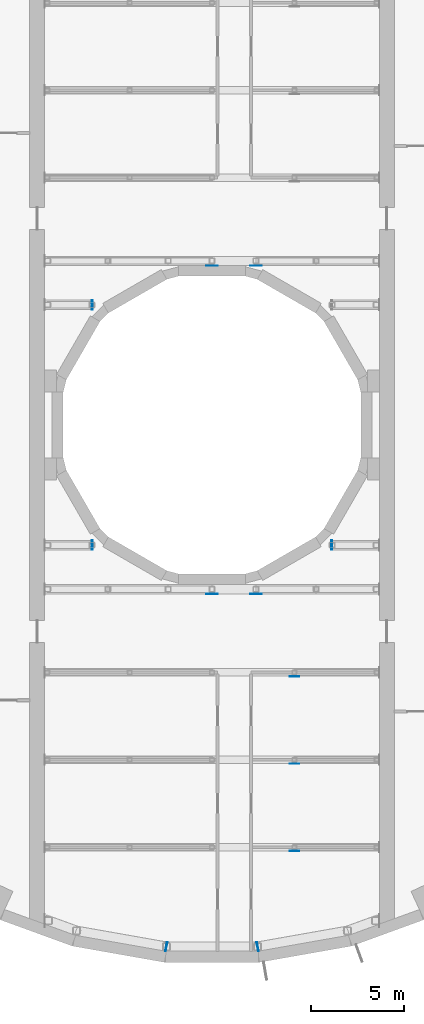
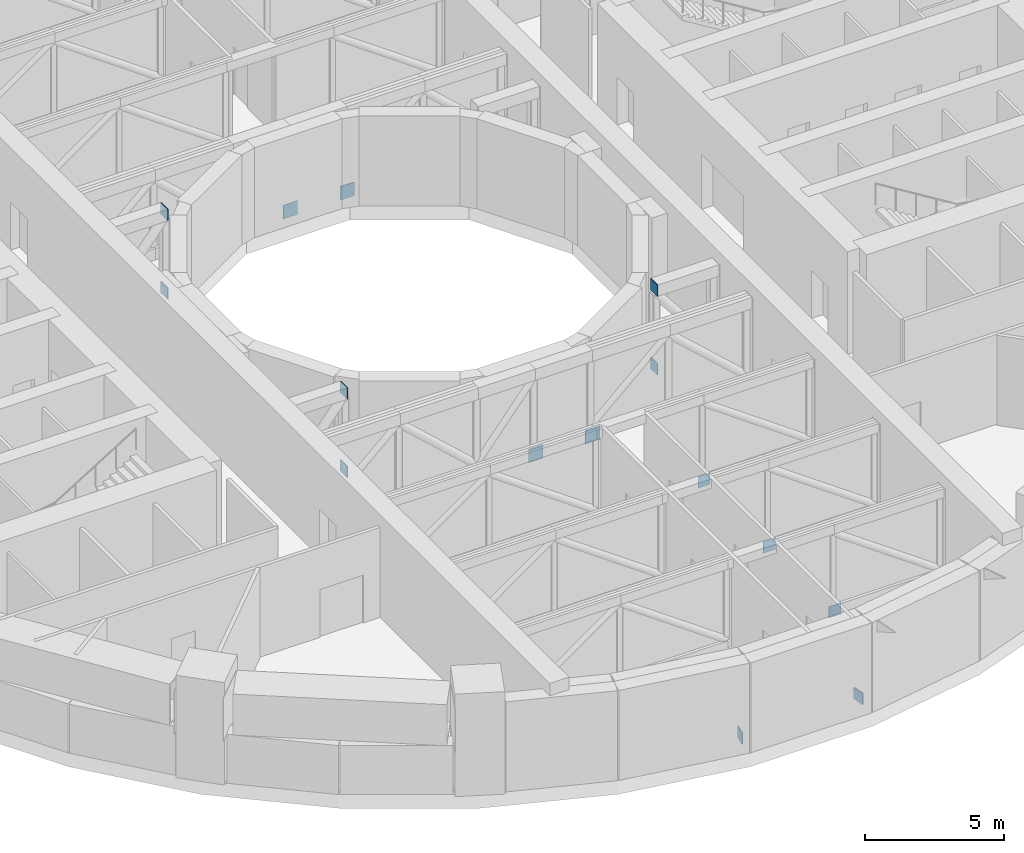
# One storey, part 19 of 21: 15 discrete accessories.
"""IFC4 building model written with IfcOpenShell, lengths in metres."""

from ifc_helpers import new_model, si_unit, direction, frame, origin, origin_2d, place, context, subcontext, project, spatial, rectangle, extrude, material, material_profile, profile_set, type_object, element, save


model = new_model("IFC4")

# Units and contexts
model_context = context("Model", 3, precision=1e-05, world=origin(), true_north=direction((0.0, 1.0)))
body_context = subcontext(model_context, "Body", "Model", "MODEL_VIEW")
ifc_project = project(units=[si_unit("LENGTHUNIT", "METRE"), si_unit("AREAUNIT", "SQUARE_METRE"), si_unit("VOLUMEUNIT", "CUBIC_METRE"), si_unit("PLANEANGLEUNIT", "RADIAN"), si_unit("MASSUNIT", "GRAM", prefix="KILO")], contexts=[model_context])

# Site, building, storey
site_placement = place(None, origin())
site = spatial("IfcSite", under=ifc_project, at=site_placement, CompositionType="ELEMENT")
building_placement = place(site_placement, origin())
building = spatial("IfcBuilding", under=site, at=building_placement, Name="Saqina Gate Tower", CompositionType="ELEMENT")
storey_placement = place(building_placement, frame((0.0, 0.0, 21.800048828125)))
storey = spatial("IfcBuildingStorey", under=building, at=storey_placement, Name="L05", CompositionType="ELEMENT", Elevation=21.800048828125)

# Discrete accessories
ifc_material_1 = material(Name="Steel S460", Category="steel")
ifc_material_profile_1 = material_profile(ifc_material_1, rectangle(XDim=0.5, YDim=0.5, at=origin_2d()), Name="STR-END PLATE-BOX 500x500x40")
ifc_profile_set_1 = profile_set([ifc_material_profile_1], Name="Steel S460")
discrete_accessory_type_1 = type_object("IfcDiscreteAccessoryType", Name="STR-END PLATE-BOX 500x500x40", PredefinedType="USERDEFINED", material=ifc_profile_set_1)
for number, where, z_axis, x_axis, name in (
    (1, (-6.45751953125, 6.45751953125, 0.25), (1.0, 0.0, 0.0), (0.0, 1.0, 0.0), "END PLATE TRANSFER TRUSS CHORD 180 END"),
    (2, (-6.45751953125, 6.45751953125, 3.699951171875), (1.0, 0.0, 0.0), (0.0, 1.0, 0.0), "END PLATE TRANSFER TRUSS CHORD 181 END"),
    (3, (-6.45751953125, -6.45751953125, 0.25), (1.0, 0.0, 0.0), (0.0, 1.0, 0.0), "END PLATE TRANSFER TRUSS CHORD 185 END"),
    (4, (-6.45751953125, -6.45751953125, 3.699951171875), (1.0, 0.0, 0.0), (0.0, 1.0, 0.0), "END PLATE TRANSFER TRUSS CHORD 186 END"),
    (5, (6.45751953125, -6.45751953125, 0.25), (-1.0, 0.0, 0.0), (0.0, -1.0, 0.0), "END PLATE TRANSFER TRUSS CHORD 190 END"),
    (6, (6.45751953125, -6.45751953125, 3.699951171875), (-1.0, 0.0, 0.0), (0.0, -1.0, 0.0), "END PLATE TRANSFER TRUSS CHORD 191 END"),
):
    element("IfcDiscreteAccessory", number, at=place(storey_placement, frame(where, z_axis=z_axis, x_axis=x_axis)), inside=storey, type_object=discrete_accessory_type_1, Name=name, ObjectType="END PLATE", PredefinedType="USERDEFINED", context=body_context, shape_type="SweptSolid", body=[
        extrude(rectangle(XDim=0.5, YDim=0.5, at=origin_2d()), origin(), (0.0, 0.0, 1.0), 0.0400390625),
    ])
ifc_material_2 = material(Name="Steel S460", Category="steel")
ifc_material_profile_2 = material_profile(ifc_material_2, rectangle(XDim=0.5, YDim=0.5, at=origin_2d()), Name="STR-END PLATE-BOX 500x500x60")
ifc_profile_set_2 = profile_set([ifc_material_profile_2], Name="Steel S460")
discrete_accessory_type_2 = type_object("IfcDiscreteAccessoryType", Name="STR-END PLATE-BOX 500x500x60", PredefinedType="USERDEFINED", material=ifc_profile_set_2)
for number, where, z_axis, x_axis, name in (
    (7, (-2.474853515625, -28.0390625, 0.25), (0.984162001364, -0.177271416395, 0.0), (0.177271416395, 0.984162001364, 0.0), "END PLATE TRANSFER TRUSS CHORD 023 END"),
    (8, (2.474853515625, -28.0390625, 0.25), (-0.984162001364, -0.177271416395, 0.0), (-0.177271416395, 0.984162001364, 0.0), "END PLATE TRANSFER TRUSS CHORD 027 START"),
):
    element("IfcDiscreteAccessory", number, at=place(storey_placement, frame(where, z_axis=z_axis, x_axis=x_axis)), inside=storey, type_object=discrete_accessory_type_2, Name=name, ObjectType="END PLATE", PredefinedType="USERDEFINED", context=body_context, shape_type="SweptSolid", body=[
        extrude(rectangle(XDim=0.5, YDim=0.5, at=origin_2d()), origin(), (0.0, 0.0, 1.0), 0.0400390625),
    ])
ifc_material_3 = material(Name="Steel S460", Category="steel")
ifc_material_profile_3 = material_profile(ifc_material_3, rectangle(XDim=0.5, YDim=0.5, at=origin_2d()), Name="STR-END PLATE-GUSSET 500x500x20")
ifc_profile_set_3 = profile_set([ifc_material_profile_3], Name="Steel S460")
discrete_accessory_type_3 = type_object("IfcDiscreteAccessoryType", Name="STR-END PLATE-GUSSET 500x500x20", PredefinedType="USERDEFINED", material=ifc_profile_set_3)
for number, where, z_axis, x_axis, name in (
    (9, (4.428466796875, -13.5, 0.199951171875), (0.0, -1.0, 0.0), (1.0, 0.0, 0.0), "GUSSET PLATE TRANSFER TRUSS CHORD 107"),
    (10, (4.428466796875, -18.199951171875, 0.199951171875), (0.0, -1.0, 0.0), (1.0, 0.0, 0.0), "GUSSET PLATE TRANSFER TRUSS CHORD 137"),
    (11, (4.428466796875, -22.89990234375, 0.199951171875), (0.0, -1.0, 0.0), (1.0, 0.0, 0.0), "GUSSET PLATE TRANSFER TRUSS CHORD 167"),
):
    element("IfcDiscreteAccessory", number, at=place(storey_placement, frame(where, z_axis=z_axis, x_axis=x_axis)), inside=storey, type_object=discrete_accessory_type_3, Name=name, ObjectType="GUSSET PLATE", PredefinedType="USERDEFINED", context=body_context, shape_type="SweptSolid", body=[
        extrude(rectangle(XDim=0.5, YDim=0.5, at=origin_2d()), origin(), (0.0, 0.0, 1.0), 0.02001953125),
    ])
ifc_material_4 = material(Name="Steel S460", Category="steel")
ifc_material_profile_4 = material_profile(ifc_material_4, rectangle(XDim=0.60009765625, YDim=0.60009765625, at=origin_2d()), Name="STR-END PLATE-GUSSET 600x600x20")
ifc_profile_set_4 = profile_set([ifc_material_profile_4], Name="Steel S460")
discrete_accessory_type_4 = type_object("IfcDiscreteAccessoryType", Name="STR-END PLATE-GUSSET 600x600x20", PredefinedType="USERDEFINED", material=ifc_profile_set_4)
for number, where, z_axis, x_axis, name in (
    (12, (0.0, 8.571044921875, 0.25), (0.0, -1.0, 0.0), (1.0, 0.0, 0.0), "GUSSET PLATE TRANSFER TRUSS CHORD 045"),
    (13, (2.363525390625, 8.571044921875, 0.25), (0.0, -1.0, 0.0), (1.0, 0.0, 0.0), "GUSSET PLATE TRANSFER TRUSS CHORD 049"),
    (14, (0.0, -9.071044921875, 0.25), (0.0, -1.0, 0.0), (1.0, 0.0, 0.0), "GUSSET PLATE TRANSFER TRUSS CHORD 068"),
    (15, (2.363525390625, -9.071044921875, 0.25), (0.0, -1.0, 0.0), (1.0, 0.0, 0.0), "GUSSET PLATE TRANSFER TRUSS CHORD 072"),
):
    element("IfcDiscreteAccessory", number, at=place(storey_placement, frame(where, z_axis=z_axis, x_axis=x_axis)), inside=storey, type_object=discrete_accessory_type_4, Name=name, ObjectType="GUSSET PLATE", PredefinedType="USERDEFINED", context=body_context, shape_type="SweptSolid", body=[
        extrude(rectangle(XDim=0.60009765625, YDim=0.60009765625, at=origin_2d()), origin(), (0.0, 0.0, 1.0), 0.02001953125),
    ])

save(model, "model.ifc")
